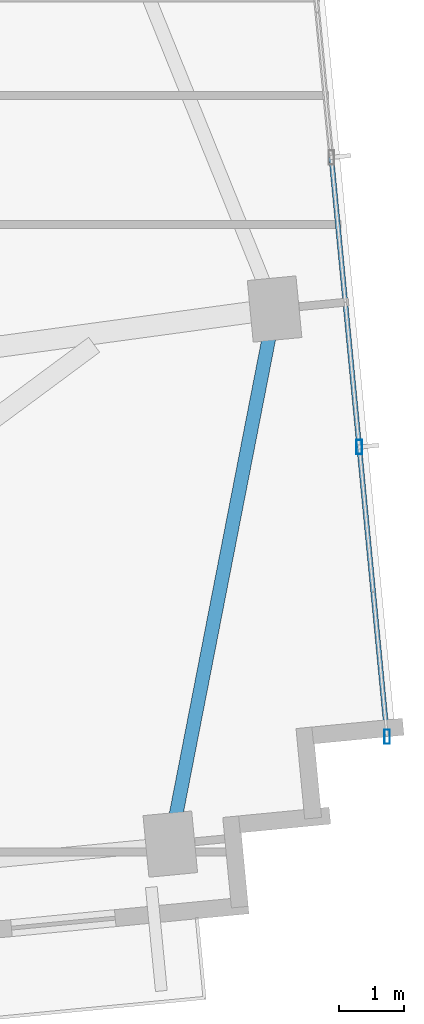
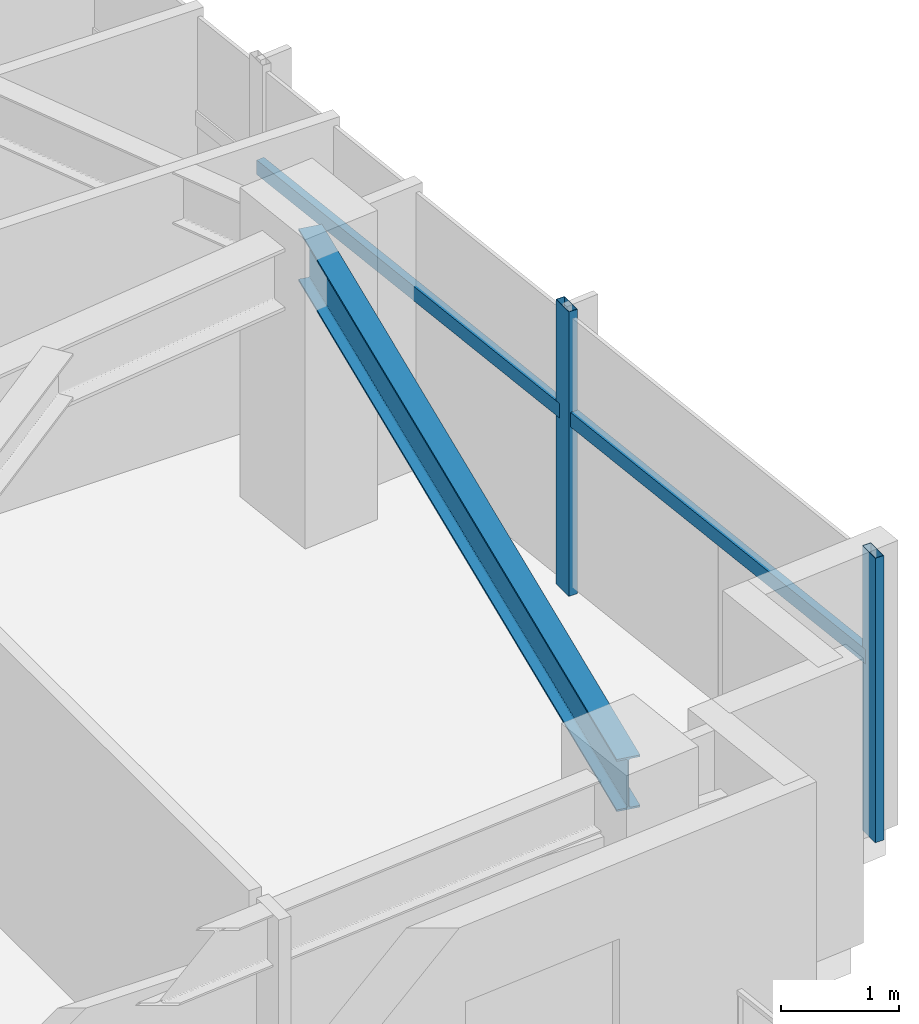
# One storey, part 10 of 18: 4 members, 1 beam, 1 element without a shape of its own.
"""IFC4 building model written with IfcOpenShell, lengths in metres."""

from ifc_helpers import new_model, si_unit, direction, frame, origin, origin_2d, place, context, subcontext, project, spatial, hollow_rectangle, i_section, extrude, source, transform, mapped, material, material_profile, profile_set, type_object, type_shapes, element, aggregate, save


model = new_model("IFC4")

# Units and contexts
model_context = context("Model", 3, precision=1e-05, world=origin(), true_north=direction((0.0, 1.0)))
body_context = subcontext(model_context, "Body", "Model", "MODEL_VIEW")
ifc_project = project(units=[si_unit("LENGTHUNIT", "METRE"), si_unit("AREAUNIT", "SQUARE_METRE"), si_unit("VOLUMEUNIT", "CUBIC_METRE"), si_unit("PLANEANGLEUNIT", "RADIAN"), si_unit("MASSUNIT", "GRAM", prefix="KILO")], contexts=[model_context])

# Site, building, storey
site_placement = place(None, origin())
site = spatial("IfcSite", under=ifc_project, at=site_placement, CompositionType="ELEMENT")
building_placement = place(site_placement, origin())
building = spatial("IfcBuilding", under=site, at=building_placement, Name="Astriad Promenade Condominiums", CompositionType="ELEMENT")
storey_placement = place(building_placement, frame((0.0, 0.0, 201.800048828125)))
storey = spatial("IfcBuildingStorey", under=building, at=storey_placement, Name="L58", CompositionType="ELEMENT", Elevation=201.800048828125)

# Beam
ifc_material_1 = material(Name="Steel ASTM A992 Grade 50", Category="steel")
ifc_material_profile_1 = material_profile(ifc_material_1, i_section(OverallWidth=0.210693359375, OverallDepth=0.53955078125, WebThickness=0.01171875, FlangeThickness=0.018798828125, FilletRadius=0.0166015625, at=origin_2d()), Name="W21X73")
ifc_profile_set_1 = profile_set([ifc_material_profile_1], Name="Steel ASTM A992 Grade 50")
beam_type = type_object("IfcBeamType", Name="STEEL SPANDREL BEAM W21X73", PredefinedType="SPANDREL", material=ifc_profile_set_1)
shared_shape_1 = source(origin(), body_context, "Body", "SweptSolid", [
    extrude(i_section(OverallWidth=0.210693359375, OverallDepth=0.53955078125, WebThickness=0.01171875, FlangeThickness=0.018798828125, FilletRadius=0.0166015625, at=origin_2d()), origin(), (0.0, 0.0, 1.0), 8.28564453125),
])
type_shapes(beam_type, [shared_shape_1])
beam_placement = place(storey_placement, frame((61.775634765625, 11.6552734375, 2.670166015625), z_axis=(0.191291582099, 0.981533254973, 0.0), x_axis=(-0.981533254973, 0.191291582099, 0.0)))
element("IfcBeam", 1, at=beam_placement, inside=storey, type_object=beam_type, Name="Perimeter Spandrel Beam SP-E1-L58", PredefinedType="SPANDREL", context=body_context, shape_type="MappedRepresentation", body=[
    mapped(shared_shape_1, transform((0.0, 0.0, 0.0), scale=1.0)),
])

# Curtain wall, members
ifc_material_2 = material(Name="Anodised aluminium Black Dark Glass Unitised", Category="aluminium")
curtain_wall_type = type_object("IfcCurtainWallType", Name="CW-B34-DARK", PredefinedType="USERDEFINED", material=ifc_material_2)
curtain_wall_placement = place(storey_placement, origin())
curtain_wall = element("IfcCurtainWall", 2, at=curtain_wall_placement, inside=storey, type_object=curtain_wall_type, Name="CW-L58-E", ObjectType="UNITISED_CURTAIN_WALL", PredefinedType="USERDEFINED")
ifc_material_3 = material(Name="Anodised aluminium 6063-T6 Black", Category="aluminium")
ifc_material_profile_2 = material_profile(ifc_material_3, hollow_rectangle(XDim=0.0849609375, YDim=0.219970703125, WallThickness=0.0048828125, at=origin_2d()), Name="ALU-MUL-85X220")
ifc_profile_set_2 = profile_set([ifc_material_profile_2], Name="Anodised aluminium 6063-T6 Black")
member_type_1 = type_object("IfcMemberType", Name="MUL-ALU-MUL-85X220", PredefinedType="MULLION", material=ifc_profile_set_2)
shared_shape_2 = source(origin(), body_context, "Body", "SweptSolid", [
    extrude(hollow_rectangle(XDim=0.0849609375, YDim=0.219970703125, WallThickness=0.0048828125, at=origin_2d()), origin(), (0.0, 0.0, 1.0), 2.93994140625),
])
type_shapes(member_type_1, [shared_shape_2])
member_1_placement = place(storey_placement, frame((64.667236328125, 17.70849609375, 0.0), z_axis=(0.0, 0.0, 1.0), x_axis=(1.0, 0.0, 0.0)))
member_1 = element("IfcMember", 3, at=member_1_placement, type_object=member_type_1, Name="CW-L58-E-MUL-02", PredefinedType="MULLION", context=body_context, shape_type="MappedRepresentation", body=[
    mapped(shared_shape_2, transform((0.0, 0.0, 0.0), scale=1.0)),
])
member_2_placement = place(storey_placement, frame((65.095458984375, 13.262451171875, 0.0), z_axis=(0.0, 0.0, 1.0), x_axis=(1.0, 0.0, 0.0)))
member_2 = element("IfcMember", 4, at=member_2_placement, type_object=member_type_1, Name="CW-L58-E-MUL-03", PredefinedType="MULLION", context=body_context, shape_type="MappedRepresentation", body=[
    mapped(shared_shape_2, transform((0.0, 0.0, 0.0), scale=1.0)),
])
ifc_material_profile_3 = material_profile(ifc_material_3, hollow_rectangle(XDim=0.074951171875, YDim=0.14990234375, WallThickness=0.004150390625, at=origin_2d()), Name="ALU-TRN-75X150")
ifc_profile_set_3 = profile_set([ifc_material_profile_3], Name="Anodised aluminium 6063-T6 Black")
member_type_2 = type_object("IfcMemberType", Name="TRN-ALU-TRN-75X150", PredefinedType="USERDEFINED", material=ifc_profile_set_3)
shared_shape_3 = source(origin(), body_context, "Body", "SweptSolid", [
    extrude(hollow_rectangle(XDim=0.074951171875, YDim=0.14990234375, WallThickness=0.004150390625, at=origin_2d()), origin(), (0.0, 0.0, 1.0), 4.466552734375),
])
type_shapes(member_type_2, [shared_shape_3])
member_3_placement = place(storey_placement, frame((64.239013671875, 22.154541015625, 1.82275390625), z_axis=(0.095871755514, -0.995393694221, 0.0), x_axis=(0.995393694221, 0.095871755514, 0.0)))
member_3 = element("IfcMember", 5, at=member_3_placement, type_object=member_type_2, Name="CW-L58-E-TRN-01-0", ObjectType="TRANSOM", PredefinedType="USERDEFINED", context=body_context, shape_type="MappedRepresentation", body=[
    mapped(shared_shape_3, transform((0.0, 0.0, 0.0), scale=1.0)),
])
member_4_placement = place(storey_placement, frame((64.667236328125, 17.70849609375, 1.82275390625), z_axis=(0.095871755514, -0.995393694221, 0.0), x_axis=(0.995393694221, 0.095871755514, 0.0)))
member_4 = element("IfcMember", 6, at=member_4_placement, type_object=member_type_2, Name="CW-L58-E-TRN-02-0", ObjectType="TRANSOM", PredefinedType="USERDEFINED", context=body_context, shape_type="MappedRepresentation", body=[
    mapped(shared_shape_3, transform((0.0, 0.0, 0.0), scale=1.0)),
])
aggregate(curtain_wall, [member_1, member_2, member_3, member_4])

save(model, "model.ifc")
